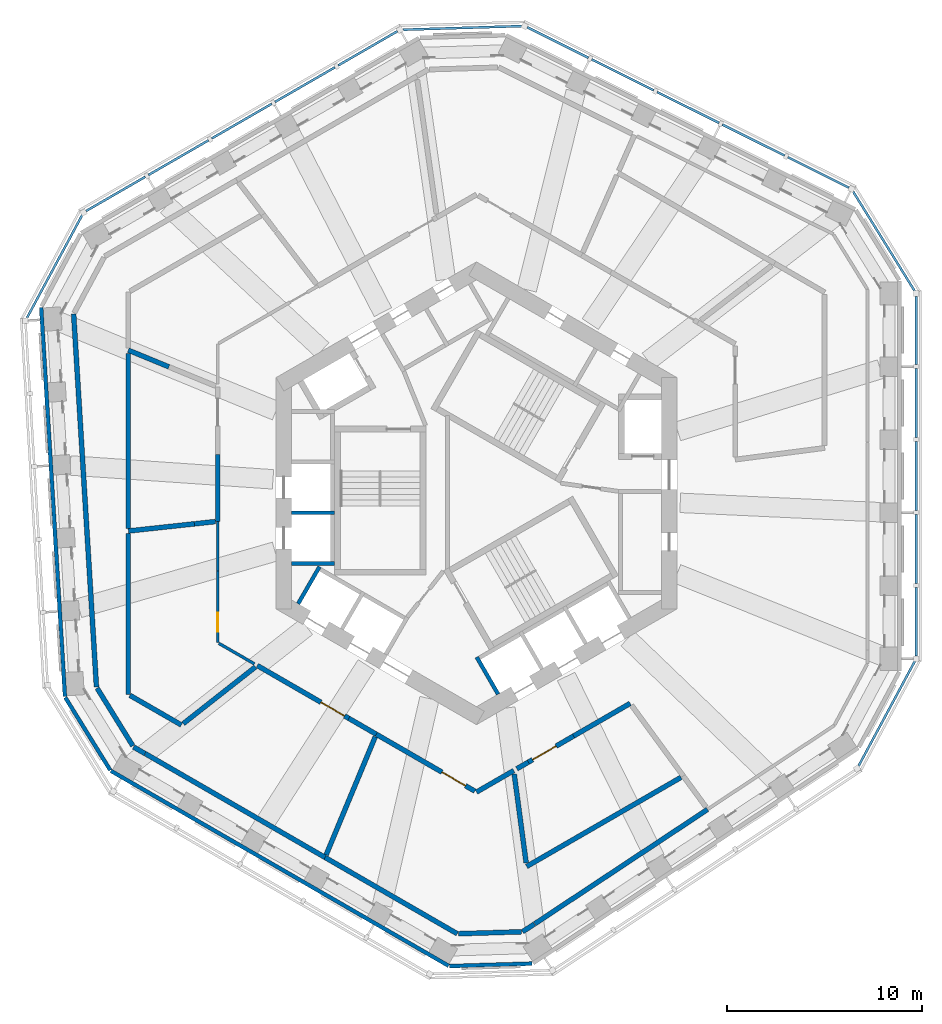
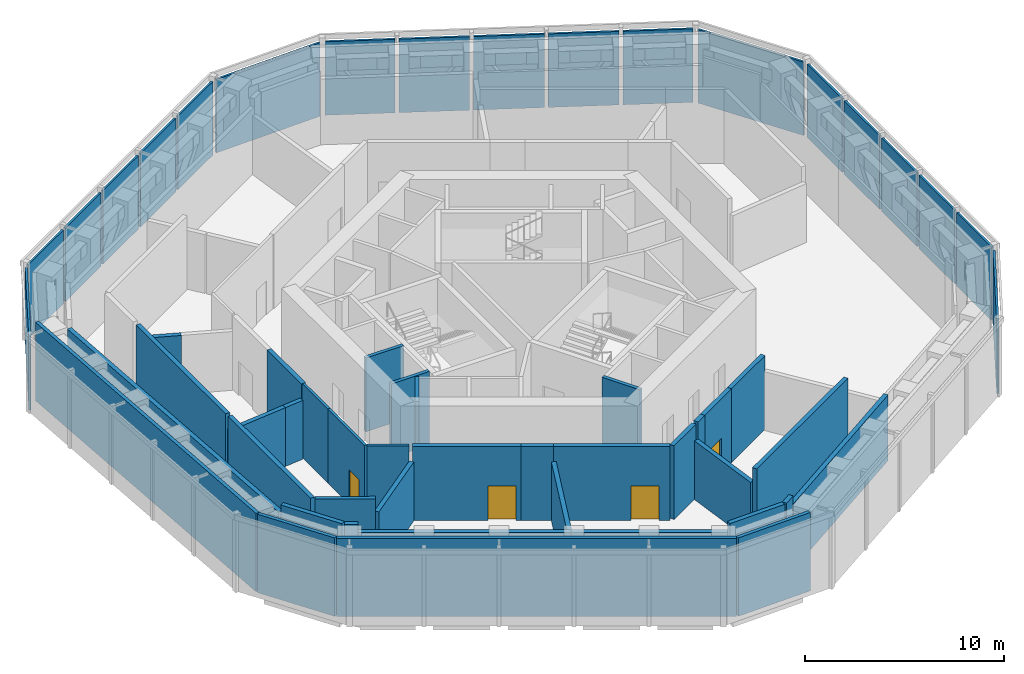
# One storey, part 5 of 15: 37 walls, 19 plates, 4 doors, 4 openings, 7 elements without a shape of their own.
"""IFC4 building model written with IfcOpenShell, lengths in metres."""

import ifcopenshell
import ifcopenshell.guid

model = None  # the IFC model being written
_history = None  # IfcOwnerHistory: only IFC2X3 demands one
_inside = {}  # id of a spatial element -> (the spatial element, [elements in it])
_under = {}  # id of a project, library or spatial element -> (it, [spatial elements below it])
_declared = {}  # id of a project -> (the project, [libraries it declares])
_typed = {}  # id of a type object -> (the type object, [elements of that type])
_made_of = {}  # id of a material, layer set ... -> (it, [elements and type objects made of it])


def new_model(schema):
    """Start an empty IFC model of exactly this schema.

    Asked for "IFC4X3", IfcOpenShell would pick the latest addendum, in which some entities
    have other attributes; the version numbers below select the first issue.
    IFC2X3 requires an IfcOwnerHistory on every rooted entity: one is made here for all.
    """
    global model, _history
    if schema == "IFC4X3":
        model = ifcopenshell.file(schema_version=(4, 3, 0, 0))
    else:
        model = ifcopenshell.file(schema=schema)
    _inside.clear()
    _under.clear()
    _declared.clear()
    _typed.clear()
    _made_of.clear()
    _history = None
    if model.schema == "IFC2X3":
        org = make("IfcOrganization", Name="unknown")
        user = make(
            "IfcPersonAndOrganization",
            ThePerson=make("IfcPerson", FamilyName="unknown"),
            TheOrganization=org,
        )
        app = make(
            "IfcApplication",
            ApplicationDeveloper=org,
            Version="unknown",
            ApplicationFullName="unknown",
            ApplicationIdentifier="unknown",
        )
        _history = make(
            "IfcOwnerHistory",
            OwningUser=user,
            OwningApplication=app,
            ChangeAction="ADDED",
            CreationDate=0,
        )
    return model


def make(cls, **values):
    """One entity of the class cls with the attributes given. An attribute that is None is left unset."""
    return model.create_entity(
        cls, **{name: value for name, value in values.items() if value is not None}
    )


def rooted(cls, **values):
    """An entity with a GlobalId (a new one), such as an element, a storey or a relation."""
    return make(cls, GlobalId=ifcopenshell.guid.new(), OwnerHistory=_history, **values)


def si_unit(unit_type, name, prefix=None):
    """IfcSIUnit, for example si_unit("LENGTHUNIT", "METRE", prefix="MILLI")."""
    return make("IfcSIUnit", UnitType=unit_type, Prefix=prefix, Name=name)


def assignment(units):
    """IfcUnitAssignment: the units of a project."""
    return None if units is None else make("IfcUnitAssignment", Units=units)


def point(xyz):
    """IfcCartesianPoint."""
    return None if xyz is None else make("IfcCartesianPoint", Coordinates=xyz)


def direction(xyz):
    """IfcDirection."""
    return None if xyz is None else make("IfcDirection", DirectionRatios=xyz)


def frame(location, z_axis=None, x_axis=None):
    """IfcAxis2Placement3D, a coordinate frame: its origin and axes. An axis left out is left unset."""
    return make(
        "IfcAxis2Placement3D",
        Location=point(location),
        Axis=direction(z_axis),
        RefDirection=direction(x_axis),
    )


def frame_2d(location, x_axis=None):
    """IfcAxis2Placement2D, a coordinate frame in the plane: its origin and x axis."""
    return make(
        "IfcAxis2Placement2D", Location=point(location), RefDirection=direction(x_axis)
    )


def origin():
    """The frame at (0, 0, 0) with its axes left unset."""
    return frame((0.0, 0.0, 0.0))


def origin_2d():
    """The frame at (0, 0) in the plane with its x axis left unset."""
    return frame_2d((0.0, 0.0))


def place(relative_to, where):
    """IfcLocalPlacement: puts the frame where relative to a parent placement (None: the world)."""
    return make(
        "IfcLocalPlacement", PlacementRelTo=relative_to, RelativePlacement=where
    )


def context(
    kind, dimensions, precision=None, world=None, true_north=None, identifier=None
):
    """IfcGeometricRepresentationContext, for example the 3D "Model" context."""
    return make(
        "IfcGeometricRepresentationContext",
        ContextIdentifier=identifier,
        ContextType=kind,
        CoordinateSpaceDimension=dimensions,
        Precision=precision,
        WorldCoordinateSystem=world,
        TrueNorth=true_north,
    )


def subcontext(parent, identifier, kind, view, scale=None):
    """IfcGeometricRepresentationSubContext, for example "Body" below "Model"."""
    return make(
        "IfcGeometricRepresentationSubContext",
        ContextIdentifier=identifier,
        ContextType=kind,
        ParentContext=parent,
        TargetScale=scale,
        TargetView=view,
    )


def project(units=None, contexts=None):
    """IfcProject with its units and contexts."""
    return rooted(
        "IfcProject",
        Name="project",
        RepresentationContexts=contexts,
        UnitsInContext=assignment(units),
    )


def spatial(cls, under=None, at=None, **own):
    """A site, building, storey or space (cls), placed at a placement, below another one or the project."""
    s = rooted(cls, ObjectPlacement=at, **own)
    if under is not None:
        _under.setdefault(under.id(), (under, []))[1].append(s)
    return s


def profile(cls, at=None, kind="AREA", **sizes):
    """A parametric profile (cls). Its sizes go by their IFC names, for example OverallWidth=200.0."""
    return make(cls, ProfileType=kind, Position=at, **sizes)


def rectangle(**sizes):
    """IfcRectangleProfileDef."""
    return profile("IfcRectangleProfileDef", **sizes)


def extrude(swept, where, along, depth):
    """IfcExtrudedAreaSolid: the profile swept, set in the frame where, extruded along a direction by depth."""
    return make(
        "IfcExtrudedAreaSolid",
        SweptArea=swept,
        Position=where,
        ExtrudedDirection=direction(along),
        Depth=depth,
    )


def shape(context_of_items, identifier, shape_type, items):
    """IfcShapeRepresentation: the items that make up one representation, for example the "Body"."""
    return make(
        "IfcShapeRepresentation",
        ContextOfItems=context_of_items,
        RepresentationIdentifier=identifier,
        RepresentationType=shape_type,
        Items=items,
    )


def material(Name=None, Category=None):
    """IfcMaterial."""
    return make("IfcMaterial", Name=Name, Category=Category)


def layer(
    of_material, thickness, ventilated=None, Name=None, Category=None, Priority=None
):
    """IfcMaterialLayer: one layer of a wall or slab, of a material (None: an air gap)."""
    return make(
        "IfcMaterialLayer",
        Material=of_material,
        LayerThickness=thickness,
        IsVentilated=ventilated,
        Name=Name,
        Category=Category,
        Priority=Priority,
    )


def layer_set(layers, Name=None):
    """IfcMaterialLayerSet."""
    return make("IfcMaterialLayerSet", MaterialLayers=layers, LayerSetName=Name)


def made_of(thing, what):
    """Note that an element or type object is made of a material, layer set ...; save() writes the relation."""
    if what is not None:
        _made_of.setdefault(what.id(), (what, []))[1].append(thing)
    return thing


def type_object(cls, material=None, **own):
    """A type object (cls), such as IfcWallType, which elements share."""
    return made_of(rooted(cls, **own), material)


def element(
    cls,
    number,
    at=None,
    inside=None,
    cuts=None,
    type_object=None,
    material=None,
    context=None,
    identifier="Body",
    shape_type=None,
    held_by="IfcProductDefinitionShape",
    body=None,
    shapes=None,
    **own,
):
    """One element of the class cls, such as IfcWall. Its Tag is "e" and its number.

    at: its placement. inside: the storey or other place that contains it. cuts: it is an
    opening in that element (IfcRelVoidsElement). A single representation is given by context,
    identifier, shape_type and body (its items); several are given by shapes. held_by: the class
    of the entity that holds the representations. save() writes the other relations.
    """
    e = rooted(cls, Tag="e%d" % number, ObjectPlacement=at, **own)
    if body is not None:
        shapes = [shape(context, identifier, shape_type, body)]
    if shapes is not None:
        e.Representation = make(held_by, Representations=shapes)
    if inside is not None:
        _inside.setdefault(inside.id(), (inside, []))[1].append(e)
    if cuts is not None:
        rooted(
            "IfcRelVoidsElement", RelatingBuildingElement=cuts, RelatedOpeningElement=e
        )
    if type_object is not None:
        _typed.setdefault(type_object.id(), (type_object, []))[1].append(e)
    return made_of(e, material)


def fill(opening, filler):
    """IfcRelFillsElement: the door or window that sits in an opening."""
    return rooted(
        "IfcRelFillsElement",
        RelatingOpeningElement=opening,
        RelatedBuildingElement=filler,
    )


def aggregate(whole, parts):
    """IfcRelAggregates: a whole, such as a stair, and the parts it consists of."""
    return rooted("IfcRelAggregates", RelatingObject=whole, RelatedObjects=parts)


def save(model, path):
    """Write the relations noted so far, then the file.

    IfcRelAggregates (storeys below a building ...), IfcRelContainedInSpatialStructure (elements
    in a storey), IfcRelDefinesByType, IfcRelAssociatesMaterial and IfcRelDeclares: one each for
    every whole, place, type object, material and project.
    """
    for whole, parts in _under.values():
        aggregate(whole, parts)
    for where, things in _inside.values():
        rooted(
            "IfcRelContainedInSpatialStructure",
            RelatedElements=things,
            RelatingStructure=where,
        )
    for kind, things in _typed.values():
        rooted("IfcRelDefinesByType", RelatedObjects=things, RelatingType=kind)
    for what, things in _made_of.values():
        rooted("IfcRelAssociatesMaterial", RelatedObjects=things, RelatingMaterial=what)
    for by, libraries in _declared.values():
        rooted("IfcRelDeclares", RelatingContext=by, RelatedDefinitions=libraries)
    model.write(path)


model = new_model("IFC4")

# Units and contexts
model_context = context("Model", 3, precision=1e-05, world=origin(), true_north=direction((0.0, 1.0)))
body_context = subcontext(model_context, "Body", "Model", "MODEL_VIEW")
ifc_project = project(units=[si_unit("LENGTHUNIT", "METRE"), si_unit("AREAUNIT", "SQUARE_METRE"), si_unit("VOLUMEUNIT", "CUBIC_METRE"), si_unit("PLANEANGLEUNIT", "RADIAN"), si_unit("MASSUNIT", "GRAM", prefix="KILO")], contexts=[model_context])

# Site, building, storey
site_placement = place(None, origin())
site = spatial("IfcSite", under=ifc_project, at=site_placement, CompositionType="ELEMENT")
building_placement = place(site_placement, origin())
building = spatial("IfcBuilding", under=site, at=building_placement, Name="Vanh Sen Convention Tower", CompositionType="ELEMENT")
storey_placement = place(building_placement, frame((0.0, 0.0, 205.800048828125)))
storey = spatial("IfcBuildingStorey", under=building, at=storey_placement, Name="L51", CompositionType="ELEMENT", Elevation=205.800048828125)

# Curtain wall, plates
ifc_material_1 = material(Name="Concrete C50/60", Category="concrete")
curtain_wall_type = type_object("IfcCurtainWallType", Name="Outer skin office zone", PredefinedType="NOTDEFINED", material=ifc_material_1)
curtain_wall_1_placement = place(storey_placement, origin())
curtain_wall_1 = element("IfcCurtainWall", 1, at=curtain_wall_1_placement, inside=storey, type_object=curtain_wall_type, Name="OUTER SKIN E L51", PredefinedType="NOTDEFINED")
ifc_layer_1 = layer(ifc_material_1, 0.1201171875)
ifc_layer_set_1 = layer_set([ifc_layer_1], Name="Concrete C50/60")
plate_type = type_object("IfcPlateType", Name="Outer skin precast screen panel 120", PredefinedType="CURTAIN_PANEL", material=ifc_layer_set_1)
plate_1_placement = place(storey_placement, frame((22.60009765625, -6.59912109375, 0.0), z_axis=(0.0, 0.0, 1.0), x_axis=(0.0, 1.0, 0.0)))
plate_1 = element("IfcPlate", 2, at=plate_1_placement, type_object=plate_type, Name="OUTER SKIN screen panel E-1", PredefinedType="CURTAIN_PANEL", context=body_context, shape_type="SweptSolid", body=[
    extrude(rectangle(XDim=3.504150390625, YDim=0.1201171875, at=origin_2d()), origin(), (0.0, 0.0, 1.0), 4.5),
])
plate_2_placement = place(storey_placement, frame((22.60009765625, -2.869873046875, 0.0), z_axis=(0.0, 0.0, 1.0), x_axis=(0.0, 1.0, 0.0)))
plate_2 = element("IfcPlate", 3, at=plate_2_placement, type_object=plate_type, Name="OUTER SKIN screen panel E-2", PredefinedType="CURTAIN_PANEL", context=body_context, shape_type="SweptSolid", body=[
    extrude(rectangle(XDim=3.55419921875, YDim=0.1201171875, at=origin_2d()), origin(), (0.0, 0.0, 1.0), 4.5),
])
plate_3_placement = place(storey_placement, frame((22.60009765625, 0.88427734375, 0.0), z_axis=(0.0, 0.0, 1.0), x_axis=(0.0, 1.0, 0.0)))
plate_3 = element("IfcPlate", 4, at=plate_3_placement, type_object=plate_type, Name="OUTER SKIN screen panel E-3", PredefinedType="CURTAIN_PANEL", context=body_context, shape_type="SweptSolid", body=[
    extrude(rectangle(XDim=3.55419921875, YDim=0.1201171875, at=origin_2d()), origin(), (0.0, 0.0, 1.0), 4.5),
])
plate_4_placement = place(storey_placement, frame((22.60009765625, 4.63818359375, 0.0), z_axis=(0.0, 0.0, 1.0), x_axis=(0.0, 1.0, 0.0)))
plate_4 = element("IfcPlate", 5, at=plate_4_placement, type_object=plate_type, Name="OUTER SKIN screen panel E-4", PredefinedType="CURTAIN_PANEL", context=body_context, shape_type="SweptSolid", body=[
    extrude(rectangle(XDim=3.55419921875, YDim=0.1201171875, at=origin_2d()), origin(), (0.0, 0.0, 1.0), 4.5),
])
plate_5_placement = place(storey_placement, frame((22.60009765625, 8.367431640625, 0.0), z_axis=(0.0, 0.0, 1.0), x_axis=(0.0, 1.0, 0.0)))
plate_5 = element("IfcPlate", 6, at=plate_5_placement, type_object=plate_type, Name="OUTER SKIN screen panel E-5", PredefinedType="CURTAIN_PANEL", context=body_context, shape_type="SweptSolid", body=[
    extrude(rectangle(XDim=3.504150390625, YDim=0.1201171875, at=origin_2d()), origin(), (0.0, 0.0, 1.0), 4.5),
])
aggregate(curtain_wall_1, [plate_1, plate_2, plate_3, plate_4, plate_5])

# Curtain wall, plate
curtain_wall_2_placement = place(storey_placement, origin())
curtain_wall_2 = element("IfcCurtainWall", 7, at=curtain_wall_2_placement, inside=storey, type_object=curtain_wall_type, Name="OUTER SKIN CH1 L51", PredefinedType="NOTDEFINED")
plate_6_placement = place(storey_placement, frame((20.937255859375, 12.956298828125, 0.0), z_axis=(0.0, 0.0, 1.0), x_axis=(-0.5262035346, 0.850358653848, 0.0)))
plate_6 = element("IfcPlate", 8, at=plate_6_placement, type_object=plate_type, Name="OUTER SKIN screen panel CH1-1", PredefinedType="CURTAIN_PANEL", context=body_context, shape_type="SweptSolid", body=[
    extrude(rectangle(XDim=6.01953125, YDim=0.1201171875, at=origin_2d()), origin(), (0.0, 0.0, 1.0), 4.5),
])
aggregate(curtain_wall_2, [plate_6])

# Curtain wall, plates
curtain_wall_3_placement = place(storey_placement, origin())
curtain_wall_3 = element("IfcCurtainWall", 9, at=curtain_wall_3_placement, inside=storey, type_object=curtain_wall_type, Name="OUTER SKIN NE L51", PredefinedType="NOTDEFINED")
plate_7_placement = place(storey_placement, frame((17.572509765625, 16.491943359375, 0.0), z_axis=(0.0, 0.0, 1.0), x_axis=(-0.894943706551, 0.446179069551, 0.0)))
plate_7 = element("IfcPlate", 10, at=plate_7_placement, type_object=plate_type, Name="OUTER SKIN screen panel NE-1", PredefinedType="CURTAIN_PANEL", context=body_context, shape_type="SweptSolid", body=[
    extrude(rectangle(XDim=3.504150390625, YDim=0.1201171875, at=origin_2d()), origin(), (0.0, 0.0, 1.0), 4.5),
])
plate_8_placement = place(storey_placement, frame((14.235107421875, 18.156005859375, 0.0), z_axis=(0.0, 0.0, 1.0), x_axis=(-0.894932804072, 0.446200937017, 0.0)))
plate_8 = element("IfcPlate", 11, at=plate_8_placement, type_object=plate_type, Name="OUTER SKIN screen panel NE-2", PredefinedType="CURTAIN_PANEL", context=body_context, shape_type="SweptSolid", body=[
    extrude(rectangle(XDim=3.55419921875, YDim=0.1201171875, at=origin_2d()), origin(), (0.0, 0.0, 1.0), 4.5),
])
plate_9_placement = place(storey_placement, frame((10.87548828125, 19.8310546875, 0.0), z_axis=(0.0, 0.0, 1.0), x_axis=(-0.894932804072, 0.446200937017, 0.0)))
plate_9 = element("IfcPlate", 12, at=plate_9_placement, type_object=plate_type, Name="OUTER SKIN screen panel NE-3", PredefinedType="CURTAIN_PANEL", context=body_context, shape_type="SweptSolid", body=[
    extrude(rectangle(XDim=3.55419921875, YDim=0.1201171875, at=origin_2d()), origin(), (0.0, 0.0, 1.0), 4.5),
])
plate_10_placement = place(storey_placement, frame((7.515625, 21.506103515625, 0.0), z_axis=(0.0, 0.0, 1.0), x_axis=(-0.894932804072, 0.446200937017, 0.0)))
plate_10 = element("IfcPlate", 13, at=plate_10_placement, type_object=plate_type, Name="OUTER SKIN screen panel NE-4", PredefinedType="CURTAIN_PANEL", context=body_context, shape_type="SweptSolid", body=[
    extrude(rectangle(XDim=3.55419921875, YDim=0.1201171875, at=origin_2d()), origin(), (0.0, 0.0, 1.0), 4.5),
])
plate_11_placement = place(storey_placement, frame((4.178466796875, 23.169921875, 0.0), z_axis=(0.0, 0.0, 1.0), x_axis=(-0.894943706551, 0.446179069551, 0.0)))
plate_11 = element("IfcPlate", 14, at=plate_11_placement, type_object=plate_type, Name="OUTER SKIN screen panel NE-5", PredefinedType="CURTAIN_PANEL", context=body_context, shape_type="SweptSolid", body=[
    extrude(rectangle(XDim=3.504150390625, YDim=0.1201171875, at=origin_2d()), origin(), (0.0, 0.0, 1.0), 4.5),
])
aggregate(curtain_wall_3, [plate_7, plate_8, plate_9, plate_10, plate_11])

# Curtain wall, plate
curtain_wall_4_placement = place(storey_placement, origin())
curtain_wall_4 = element("IfcCurtainWall", 15, at=curtain_wall_4_placement, inside=storey, type_object=curtain_wall_type, Name="OUTER SKIN CH2 L51", PredefinedType="NOTDEFINED")
plate_12_placement = place(storey_placement, frame((-0.73095703125, 23.920654296875, 0.0), z_axis=(0.0, 0.0, 1.0), x_axis=(-0.999533590837, -0.03053851321, 0.0)))
plate_12 = element("IfcPlate", 16, at=plate_12_placement, type_object=plate_type, Name="OUTER SKIN screen panel CH2-1", PredefinedType="CURTAIN_PANEL", context=body_context, shape_type="SweptSolid", body=[
    extrude(rectangle(XDim=6.1171875, YDim=0.1201171875, at=origin_2d()), origin(), (0.0, 0.0, 1.0), 4.5),
])
aggregate(curtain_wall_4, [plate_12])

# Curtain wall, plates
curtain_wall_5_placement = place(storey_placement, origin())
curtain_wall_5 = element("IfcCurtainWall", 17, at=curtain_wall_5_placement, inside=storey, type_object=curtain_wall_type, Name="OUTER SKIN NW L51", PredefinedType="NOTDEFINED")
plate_13_placement = place(storey_placement, frame((-5.585205078125, 22.87158203125, 0.0), z_axis=(0.0, 0.0, 1.0), x_axis=(-0.866035002936, -0.499983373414, 0.0)))
plate_13 = element("IfcPlate", 18, at=plate_13_placement, type_object=plate_type, Name="OUTER SKIN screen panel NW-1", PredefinedType="CURTAIN_PANEL", context=body_context, shape_type="SweptSolid", body=[
    extrude(rectangle(XDim=3.504150390625, YDim=0.1201171875, at=origin_2d()), origin(), (0.0, 0.0, 1.0), 4.5),
])
plate_14_placement = place(storey_placement, frame((-8.814697265625, 21.007080078125, 0.0), z_axis=(0.0, 0.0, 1.0), x_axis=(-0.866016677006, -0.500015114919, 0.0)))
plate_14 = element("IfcPlate", 19, at=plate_14_placement, type_object=plate_type, Name="OUTER SKIN screen panel NW-2", PredefinedType="CURTAIN_PANEL", context=body_context, shape_type="SweptSolid", body=[
    extrude(rectangle(XDim=3.55419921875, YDim=0.1201171875, at=origin_2d()), origin(), (0.0, 0.0, 1.0), 4.5),
])
plate_15_placement = place(storey_placement, frame((-12.06591796875, 19.1298828125, 0.0), z_axis=(0.0, 0.0, 1.0), x_axis=(-0.866035002936, -0.499983373414, 0.0)))
plate_15 = element("IfcPlate", 20, at=plate_15_placement, type_object=plate_type, Name="OUTER SKIN screen panel NW-3", PredefinedType="CURTAIN_PANEL", context=body_context, shape_type="SweptSolid", body=[
    extrude(rectangle(XDim=3.55419921875, YDim=0.1201171875, at=origin_2d()), origin(), (0.0, 0.0, 1.0), 4.5),
])
plate_16_placement = place(storey_placement, frame((-15.31689453125, 17.2529296875, 0.0), z_axis=(0.0, 0.0, 1.0), x_axis=(-0.866016677006, -0.500015114919, 0.0)))
plate_16 = element("IfcPlate", 21, at=plate_16_placement, type_object=plate_type, Name="OUTER SKIN screen panel NW-4", PredefinedType="CURTAIN_PANEL", context=body_context, shape_type="SweptSolid", body=[
    extrude(rectangle(XDim=3.55419921875, YDim=0.1201171875, at=origin_2d()), origin(), (0.0, 0.0, 1.0), 4.5),
])
plate_17_placement = place(storey_placement, frame((-18.54638671875, 15.388427734375, 0.0), z_axis=(0.0, 0.0, 1.0), x_axis=(-0.866035002936, -0.499983373414, 0.0)))
plate_17 = element("IfcPlate", 22, at=plate_17_placement, type_object=plate_type, Name="OUTER SKIN screen panel NW-5", PredefinedType="CURTAIN_PANEL", context=body_context, shape_type="SweptSolid", body=[
    extrude(rectangle(XDim=3.504150390625, YDim=0.1201171875, at=origin_2d()), origin(), (0.0, 0.0, 1.0), 4.5),
])
aggregate(curtain_wall_5, [plate_13, plate_14, plate_15, plate_16, plate_17])

# Curtain wall, plate
curtain_wall_6_placement = place(storey_placement, origin())
curtain_wall_6 = element("IfcCurtainWall", 23, at=curtain_wall_6_placement, inside=storey, type_object=curtain_wall_type, Name="OUTER SKIN CH3 L51", PredefinedType="NOTDEFINED")
plate_18_placement = place(storey_placement, frame((-21.689208984375, 11.654052734375, 0.0), z_axis=(0.0, 0.0, 1.0), x_axis=(-0.47331812974, -0.880891564303, 0.0)))
plate_18 = element("IfcPlate", 24, at=plate_18_placement, type_object=plate_type, Name="OUTER SKIN screen panel CH3-1", PredefinedType="CURTAIN_PANEL", context=body_context, shape_type="SweptSolid", body=[
    extrude(rectangle(XDim=6.019287109375, YDim=0.1201171875, at=origin_2d()), origin(), (0.0, 0.0, 1.0), 4.5),
])
aggregate(curtain_wall_6, [plate_18])

curtain_wall_7_placement = place(storey_placement, origin())
curtain_wall_7 = element("IfcCurtainWall", 25, at=curtain_wall_7_placement, inside=storey, type_object=curtain_wall_type, Name="OUTER SKIN CH6 L51", PredefinedType="NOTDEFINED")
plate_19_placement = place(storey_placement, frame((21.081298828125, -11.327392578125, 0.0), z_axis=(0.0, 0.0, 1.0), x_axis=(0.473321204628, 0.880889912105, 0.0)))
plate_19 = element("IfcPlate", 26, at=plate_19_placement, type_object=plate_type, Name="OUTER SKIN screen panel CH6-1", PredefinedType="CURTAIN_PANEL", context=body_context, shape_type="SweptSolid", body=[
    extrude(rectangle(XDim=6.1171875, YDim=0.1201171875, at=origin_2d()), origin(), (0.0, 0.0, 1.0), 4.5),
])
aggregate(curtain_wall_7, [plate_19])

# Walls
ifc_material_2 = material(Name="Concrete C40/50", Category="concrete")
ifc_layer_2 = layer(ifc_material_2, 0.25)
ifc_layer_set_2 = layer_set([ifc_layer_2], Name="Concrete C40/50")
wall_type_1 = type_object("IfcWallType", Name="Concrete wall 250 EI 180", PredefinedType="SOLIDWALL", material=ifc_layer_set_2)
wall_1_placement = place(storey_placement, frame((-0.987548828125, -22.639404296875, 0.0), z_axis=(0.0, 0.0, 1.0), x_axis=(-0.866009406207, 0.500027707594, 0.0)))
element("IfcWall", 27, at=wall_1_placement, inside=storey, type_object=wall_type_1, Name="Fire-resisting wall L51-001", PredefinedType="SOLIDWALL", context=body_context, shape_type="SweptSolid", body=[
    extrude(rectangle(XDim=7.84619140625, YDim=0.25, at=frame_2d((3.923095703125, 0.0))), origin(), (0.0, 0.0, 1.0), 4.02001953125),
])
wall_2_placement = place(storey_placement, frame((2.3076171875, -22.538818359375, 0.0), z_axis=(0.0, 0.0, 1.0), x_axis=(-0.999533256151, -0.030549465606, 0.0)))
element("IfcWall", 28, at=wall_2_placement, inside=storey, type_object=wall_type_1, Name="Fire-resisting wall L51-002", PredefinedType="SOLIDWALL", context=body_context, shape_type="SweptSolid", body=[
    extrude(rectangle(XDim=3.236572265625, YDim=0.25, at=frame_2d((1.6181640625, 0.0))), origin(), (0.0, 0.0, 1.0), 4.52001953125),
])
wall_3_placement = place(storey_placement, frame((2.974609375, -22.135009765625, 0.0), z_axis=(0.0, 0.0, 1.0), x_axis=(-0.833748378567, -0.552144583635, 0.0)))
element("IfcWall", 29, at=wall_3_placement, inside=storey, type_object=wall_type_1, Name="Fire-resisting wall L51-003", PredefinedType="SOLIDWALL", context=body_context, shape_type="SweptSolid", body=[
    extrude(rectangle(XDim=0.728271484375, YDim=0.25, at=frame_2d((0.3642578125, 0.0))), origin(), (0.0, 0.0, 1.0), 4.52001953125),
])
wall_4_placement = place(storey_placement, frame((-7.782470703125, -18.716064453125, 0.0), z_axis=(0.0, 0.0, 1.0), x_axis=(-0.86602598362, 0.499998995694, 0.0)))
element("IfcWall", 30, at=wall_4_placement, inside=storey, type_object=wall_type_1, Name="Fire-resisting wall L51-004", PredefinedType="SOLIDWALL", context=body_context, shape_type="SweptSolid", body=[
    extrude(rectangle(XDim=10.67333984375, YDim=0.25, at=frame_2d((5.336669921875, 0.0))), origin(), (0.0, 0.0, 1.0), 4.02001953125),
])
wall_5_placement = place(storey_placement, frame((11.87255859375, -16.25146484375, 0.0), z_axis=(0.0, 0.0, 1.0), x_axis=(-0.833861924464, -0.551973088953, 0.0)))
element("IfcWall", 31, at=wall_5_placement, inside=storey, type_object=wall_type_1, Name="Fire-resisting wall L51-005", PredefinedType="SOLIDWALL", context=body_context, shape_type="SweptSolid", body=[
    extrude(rectangle(XDim=10.651123046875, YDim=0.25, at=frame_2d((5.32568359375, 0.0))), origin(), (0.0, 0.0, 1.0), 4.02001953125),
])
wall_6_placement = place(storey_placement, frame((0.0, -15.357421875, 0.0), z_axis=(0.0, 0.0, 1.0), x_axis=(0.866060565847, 0.499939092575, 0.0)))
element("IfcWall", 32, at=wall_6_placement, inside=storey, type_object=wall_type_1, Name="Fire-resisting wall L51-007", PredefinedType="SOLIDWALL", context=body_context, shape_type="SweptSolid", body=[
    extrude(rectangle(XDim=2.211181640625, YDim=0.25, at=frame_2d((1.10546875, 0.0))), origin(), (0.0, 0.0, 1.0), 4.52001953125),
])

# Wall, opening, door
wall_7_placement = place(storey_placement, frame((-0.086669921875, -15.3076171875, 0.0), z_axis=(0.0, 0.0, 1.0), x_axis=(-0.866016588558, 0.50001526811, 0.0)))
wall_7 = element("IfcWall", 33, at=wall_7_placement, inside=storey, type_object=wall_type_1, Name="Fire-resisting wall L51-008", PredefinedType="SOLIDWALL", context=body_context, shape_type="SweptSolid", body=[
    extrude(rectangle(XDim=5.845947265625, YDim=0.25, at=frame_2d((2.9228515625, 0.0))), origin(), (0.0, 0.0, 1.0), 4.52001953125),
])
opening_1_placement = place(wall_7_placement, frame((0.550048828125, 0.0, 0.0)))
opening_1 = element("IfcOpeningElement", 34, at=opening_1_placement, cuts=wall_7, Name="Opening D51101", PredefinedType="OPENING", context=body_context, shape_type="SweptSolid", body=[
    extrude(rectangle(XDim=1.39990234375, YDim=2.10009765625, at=frame_2d((0.699951171875, 1.050048828125))), frame((0.0, 0.135009765625, 0.0), z_axis=(0.0, -1.0, 0.0), x_axis=(1.0, 0.0, 0.0)), (0.0, 0.0, 1.0), 0.27001953125),
])
ifc_material_3 = material(Name="Steel S355", Category="steel")
door_type_1 = type_object("IfcDoorType", Name="Service door 1400 EI 60", OperationType="SINGLE_SWING_LEFT", PredefinedType="DOOR", material=ifc_material_3)
door_1_placement = place(opening_1_placement, origin())
door_1 = element("IfcDoor", 35, at=door_1_placement, inside=storey, type_object=door_type_1, Name="Service door D51101", OperationType="SINGLE_SWING_LEFT", OverallHeight=2.10009765625, OverallWidth=1.39990234375, PredefinedType="DOOR", context=body_context, shape_type="SweptSolid", body=[
    extrude(rectangle(XDim=1.39990234375, YDim=2.10009765625, at=frame_2d((0.699951171875, 1.050048828125))), frame((0.0, 0.02490234375, 0.0), z_axis=(0.0, -1.0, 0.0), x_axis=(1.0, 0.0, 0.0)), (0.0, 0.0, 1.0), 0.050048828125),
])
fill(opening_1, door_1)

# Walls
wall_8_placement = place(storey_placement, frame((10.5078125, -14.6025390625, 0.0), z_axis=(0.0, 0.0, 1.0), x_axis=(-0.86603774239, -0.499978628299, 0.0)))
element("IfcWall", 36, at=wall_8_placement, inside=storey, type_object=wall_type_1, Name="Fire-resisting wall L51-009", PredefinedType="SOLIDWALL", context=body_context, shape_type="SweptSolid", body=[
    extrude(rectangle(XDim=9.1572265625, YDim=0.25, at=frame_2d((4.57861328125, 0.0))), origin(), (0.0, 0.0, 1.0), 4.52001953125),
])
wall_9_placement = place(storey_placement, frame((1.93896484375, -14.430419921875, 0.0), z_axis=(0.0, 0.0, 1.0), x_axis=(0.133228901291, -0.991085293938, 0.0)))
element("IfcWall", 37, at=wall_9_placement, inside=storey, type_object=wall_type_1, Name="Fire-resisting wall L51-010", PredefinedType="SOLIDWALL", context=body_context, shape_type="SweptSolid", body=[
    extrude(rectangle(XDim=4.608642578125, YDim=0.25, at=frame_2d((2.30419921875, 0.0))), origin(), (0.0, 0.0, 1.0), 3.599853515625),
])
wall_10_placement = place(storey_placement, frame((2.66650390625, -13.818115234375, 0.0), z_axis=(0.0, 0.0, 1.0), x_axis=(-0.86630994195, -0.499506841272, 0.0)))
element("IfcWall", 38, at=wall_10_placement, inside=storey, type_object=wall_type_1, Name="Fire-resisting wall L51-011", PredefinedType="SOLIDWALL", context=body_context, shape_type="SweptSolid", body=[
    extrude(rectangle(XDim=0.686279296875, YDim=0.25, at=frame_2d((0.34326171875, 0.0))), origin(), (0.0, 0.0, 1.0), 4.52001953125),
])

# Wall, opening, door
wall_11_placement = place(storey_placement, frame((2.66650390625, -13.81787109375, 0.0), z_axis=(0.0, 0.0, 1.0), x_axis=(0.866017414952, 0.500013836808, 0.0)))
wall_11 = element("IfcWall", 39, at=wall_11_placement, inside=storey, type_object=wall_type_1, Name="Fire-resisting wall L51-012", PredefinedType="SOLIDWALL", context=body_context, shape_type="SweptSolid", body=[
    extrude(rectangle(XDim=2.68359375, YDim=0.25, at=frame_2d((1.341796875, 0.0))), origin(), (0.0, 0.0, 1.0), 4.52001953125),
])
opening_2_placement = place(wall_11_placement, frame((0.25, 0.0, 0.0)))
opening_2 = element("IfcOpeningElement", 40, at=opening_2_placement, cuts=wall_11, Name="Opening D51102", PredefinedType="OPENING", context=body_context, shape_type="SweptSolid", body=[
    extrude(rectangle(XDim=1.39990234375, YDim=2.10009765625, at=frame_2d((0.699951171875, 1.050048828125))), frame((0.0, 0.135009765625, 0.0), z_axis=(0.0, -1.0, 0.0), x_axis=(1.0, 0.0, 0.0)), (0.0, 0.0, 1.0), 0.27001953125),
])
door_2_placement = place(opening_2_placement, origin())
door_2 = element("IfcDoor", 41, at=door_2_placement, inside=storey, type_object=door_type_1, Name="Service door D51102", OperationType="SINGLE_SWING_LEFT", OverallHeight=2.10009765625, OverallWidth=1.39990234375, PredefinedType="DOOR", context=body_context, shape_type="SweptSolid", body=[
    extrude(rectangle(XDim=1.39990234375, YDim=2.10009765625, at=frame_2d((0.699951171875, 1.050048828125))), frame((0.0, 0.02490234375, 0.0), z_axis=(0.0, -1.0, 0.0), x_axis=(1.0, 0.0, 0.0)), (0.0, 0.0, 1.0), 0.050048828125),
])
fill(opening_2, door_2)

# Walls
wall_12_placement = place(storey_placement, frame((-17.03857421875, -13.3779296875, 0.0), z_axis=(0.0, 0.0, 1.0), x_axis=(-0.866065806944, 0.499930013145, 0.0)))
element("IfcWall", 42, at=wall_12_placement, inside=storey, type_object=wall_type_1, Name="Fire-resisting wall L51-013", PredefinedType="SOLIDWALL", context=body_context, shape_type="SweptSolid", body=[
    extrude(rectangle(XDim=0.6787109375, YDim=0.25, at=frame_2d((0.33935546875, 0.0))), origin(), (0.0, 0.0, 1.0), 4.52001953125),
])
wall_13_placement = place(storey_placement, frame((-17.66357421875, -12.982421875, 0.0), z_axis=(0.0, 0.0, 1.0), x_axis=(-0.526157085046, 0.850387395165, 0.0)))
element("IfcWall", 43, at=wall_13_placement, inside=storey, type_object=wall_type_1, Name="Fire-resisting wall L51-014", PredefinedType="SOLIDWALL", context=body_context, shape_type="SweptSolid", body=[
    extrude(rectangle(XDim=3.4892578125, YDim=0.25, at=frame_2d((1.74462890625, 0.0))), origin(), (0.0, 0.0, 1.0), 4.52001953125),
])
wall_14_placement = place(storey_placement, frame((-5.203369140625, -12.513671875, 0.0), z_axis=(0.0, 0.0, 1.0), x_axis=(-0.383964269763, -0.923347951503, 0.0)))
element("IfcWall", 44, at=wall_14_placement, inside=storey, type_object=wall_type_1, Name="Fire-resisting wall L51-015", PredefinedType="SOLIDWALL", context=body_context, shape_type="SweptSolid", body=[
    extrude(rectangle(XDim=6.5771484375, YDim=0.25, at=frame_2d((3.28857421875, 0.0))), origin(), (0.0, 0.0, 1.0), 3.599853515625),
])
wall_15_placement = place(storey_placement, frame((4.990478515625, -12.47607421875, 0.0), z_axis=(0.0, 0.0, 1.0), x_axis=(0.86607294768, 0.499917642513, 0.0)))
element("IfcWall", 45, at=wall_15_placement, inside=storey, type_object=wall_type_1, Name="Fire-resisting wall L51-016", PredefinedType="SOLIDWALL", context=body_context, shape_type="SweptSolid", body=[
    extrude(rectangle(XDim=3.3564453125, YDim=0.25, at=frame_2d((1.67822265625, 0.0))), origin(), (0.0, 0.0, 1.0), 4.52001953125),
])
wall_16_placement = place(storey_placement, frame((-15.169921875, -11.908447265625, 0.0), z_axis=(0.0, 0.0, 1.0), x_axis=(-0.866356035716, 0.499426890925, 0.0)))
element("IfcWall", 46, at=wall_16_placement, inside=storey, type_object=wall_type_1, Name="Fire-resisting wall L51-018", PredefinedType="SOLIDWALL", context=body_context, shape_type="SweptSolid", body=[
    extrude(rectangle(XDim=3.05126953125, YDim=0.25, at=frame_2d((1.525634765625, 0.0))), origin(), (0.0, 0.0, 1.0), 4.52001953125),
])
wall_17_placement = place(storey_placement, frame((-6.5634765625, -11.568115234375, 0.0), z_axis=(0.0, 0.0, 1.0), x_axis=(0.866026229868, -0.499998569178, 0.0)))
element("IfcWall", 47, at=wall_17_placement, inside=storey, type_object=wall_type_1, Name="Fire-resisting wall L51-019", PredefinedType="SOLIDWALL", context=body_context, shape_type="SweptSolid", body=[
    extrude(rectangle(XDim=1.6328125, YDim=0.25, at=frame_2d((0.81640625, 0.0))), origin(), (0.0, 0.0, 1.0), 4.52001953125),
])
wall_18_placement = place(storey_placement, frame((-17.89990234375, -10.33447265625, 0.0), z_axis=(0.0, 0.0, 1.0), x_axis=(0.0, 1.0, 0.0)))
element("IfcWall", 48, at=wall_18_placement, inside=storey, type_object=wall_type_1, Name="Fire-resisting wall L51-021", PredefinedType="SOLIDWALL", context=body_context, shape_type="SweptSolid", body=[
    extrude(rectangle(XDim=8.2763671875, YDim=0.25, at=frame_2d((4.13818359375, 0.0))), origin(), (0.0, 0.0, 1.0), 4.52001953125),
])
wall_19_placement = place(storey_placement, frame((-19.533447265625, -9.95654296875, 0.0), z_axis=(0.0, 0.0, 1.0), x_axis=(-0.061051138787, 0.998134639441, 0.0)))
element("IfcWall", 49, at=wall_19_placement, inside=storey, type_object=wall_type_1, Name="Fire-resisting wall L51-022", PredefinedType="SOLIDWALL", context=body_context, shape_type="SweptSolid", body=[
    extrude(rectangle(XDim=19.20703125, YDim=0.25, at=frame_2d((9.603515625, 0.0))), origin(), (0.0, 0.0, 1.0), 4.02001953125),
])
wall_20_placement = place(storey_placement, frame((-11.36279296875, -8.925537109375, 0.0), z_axis=(0.0, 0.0, 1.0), x_axis=(-0.786388390319, -0.617732385075, 0.0)))
element("IfcWall", 50, at=wall_20_placement, inside=storey, type_object=wall_type_1, Name="Fire-resisting wall L51-023", PredefinedType="SOLIDWALL", context=body_context, shape_type="SweptSolid", body=[
    extrude(rectangle(XDim=4.716064453125, YDim=0.25, at=frame_2d((2.35791015625, 0.0))), origin(), (0.0, 0.0, 1.0), 3.599853515625),
])

# Wall, opening, door
wall_21_placement = place(storey_placement, frame((-11.2685546875, -8.8515625, 0.0), z_axis=(0.0, 0.0, 1.0), x_axis=(0.866019457076, -0.500010299859, 0.0)))
wall_21 = element("IfcWall", 51, at=wall_21_placement, inside=storey, type_object=wall_type_1, Name="Fire-resisting wall L51-024", PredefinedType="SOLIDWALL", context=body_context, shape_type="SweptSolid", body=[
    extrude(rectangle(XDim=5.43310546875, YDim=0.25, at=frame_2d((2.716552734375, 0.0))), origin(), (0.0, 0.0, 1.0), 4.52001953125),
])
opening_3_placement = place(wall_21_placement, frame((3.782958984375, 0.0, 0.0)))
opening_3 = element("IfcOpeningElement", 52, at=opening_3_placement, cuts=wall_21, Name="Opening D51103", PredefinedType="OPENING", context=body_context, shape_type="SweptSolid", body=[
    extrude(rectangle(XDim=1.39990234375, YDim=2.10009765625, at=frame_2d((0.699951171875, 1.050048828125))), frame((0.0, 0.135009765625, 0.0), z_axis=(0.0, -1.0, 0.0), x_axis=(1.0, 0.0, 0.0)), (0.0, 0.0, 1.0), 0.27001953125),
])
door_3_placement = place(opening_3_placement, origin())
door_3 = element("IfcDoor", 53, at=door_3_placement, inside=storey, type_object=door_type_1, Name="Service door D51103", OperationType="SINGLE_SWING_LEFT", OverallHeight=2.10009765625, OverallWidth=1.39990234375, PredefinedType="DOOR", context=body_context, shape_type="SweptSolid", body=[
    extrude(rectangle(XDim=1.39990234375, YDim=2.10009765625, at=frame_2d((0.699951171875, 1.050048828125))), frame((0.0, 0.02490234375, 0.0), z_axis=(0.0, -1.0, 0.0), x_axis=(1.0, 0.0, 0.0)), (0.0, 0.0, 1.0), 0.050048828125),
])
fill(opening_3, door_3)

# Walls
wall_22_placement = place(storey_placement, frame((-17.89990234375, -1.798583984375, 0.0), z_axis=(0.0, 0.0, 1.0), x_axis=(0.0, 1.0, 0.0)))
element("IfcWall", 54, at=wall_22_placement, inside=storey, type_object=wall_type_1, Name="Fire-resisting wall L51-030", PredefinedType="SOLIDWALL", context=body_context, shape_type="SweptSolid", body=[
    extrude(rectangle(XDim=8.9765625, YDim=0.25, at=frame_2d((4.48828125, 0.0))), origin(), (0.0, 0.0, 1.0), 4.52001953125),
])
wall_23_placement = place(storey_placement, frame((-14.5009765625, -1.570556640625, 0.0), z_axis=(0.0, 0.0, 1.0), x_axis=(-0.994191133152, -0.10762894946, 0.0)))
element("IfcWall", 55, at=wall_23_placement, inside=storey, type_object=wall_type_1, Name="Fire-resisting wall L51-031", PredefinedType="SOLIDWALL", context=body_context, shape_type="SweptSolid", body=[
    extrude(rectangle(XDim=3.413818359375, YDim=0.25, at=frame_2d((1.70703125, 0.0))), origin(), (0.0, 0.0, 1.0), 3.599853515625),
])
wall_24_placement = place(storey_placement, frame((-14.5009765625, -1.570556640625, 0.0), z_axis=(0.0, 0.0, 1.0), x_axis=(0.994183696144, 0.107697624498, 0.0)))
element("IfcWall", 56, at=wall_24_placement, inside=storey, type_object=wall_type_1, Name="Fire-resisting wall L51-032", PredefinedType="SOLIDWALL", context=body_context, shape_type="SweptSolid", body=[
    extrude(rectangle(XDim=1.088134765625, YDim=0.25, at=frame_2d((0.5439453125, 0.0))), origin(), (0.0, 0.0, 1.0), 3.599853515625),
])
wall_25_placement = place(storey_placement, frame((-13.300048828125, -1.4404296875, 0.0), z_axis=(0.0, 0.0, 1.0), x_axis=(0.0, 1.0, 0.0)))
element("IfcWall", 57, at=wall_25_placement, inside=storey, type_object=wall_type_1, Name="Fire-resisting wall L51-033", PredefinedType="SOLIDWALL", context=body_context, shape_type="SweptSolid", body=[
    extrude(rectangle(XDim=3.4404296875, YDim=0.25, at=frame_2d((1.72021484375, 0.0))), origin(), (0.0, 0.0, 1.0), 4.52001953125),
])
wall_26_placement = place(storey_placement, frame((-17.89501953125, 7.35595703125, 0.0), z_axis=(0.0, 0.0, 1.0), x_axis=(0.924911084765, -0.380183488962, 0.0)))
element("IfcWall", 58, at=wall_26_placement, inside=storey, type_object=wall_type_1, Name="Fire-resisting wall L51-040", PredefinedType="SOLIDWALL", context=body_context, shape_type="SweptSolid", body=[
    extrude(rectangle(XDim=2.25537109375, YDim=0.25, at=frame_2d((1.127685546875, 0.0))), origin(), (0.0, 0.0, 1.0), 3.599853515625),
])
ifc_material_4 = material(Name="Insulated lightweight infill wall")
ifc_layer_3 = layer(ifc_material_4, 0.199951171875)
ifc_layer_set_3 = layer_set([ifc_layer_3], Name="Insulated lightweight infill wall")
wall_type_2 = type_object("IfcWallType", Name="External wall 200", PredefinedType="STANDARD", material=ifc_layer_set_3)
wall_27_placement = place(storey_placement, frame((-22.375, 9.55712890625, 0.0), z_axis=(0.0, 0.0, 1.0), x_axis=(0.061036015339, -0.998135564356, 0.0)))
element("IfcWall", 59, at=wall_27_placement, inside=storey, type_object=wall_type_2, Name="External wall W L51", PredefinedType="STANDARD", context=body_context, shape_type="SweptSolid", body=[
    extrude(rectangle(XDim=20.043701171875, YDim=0.199951171875, at=frame_2d((10.02197265625, 0.0))), origin(), (0.0, 0.0, 1.0), 4.800048828125),
])
wall_28_placement = place(storey_placement, frame((-21.13671875, -10.49560546875, 0.0), z_axis=(0.0, 0.0, 1.0), x_axis=(0.526178661629, -0.850374044786, 0.0)))
element("IfcWall", 60, at=wall_28_placement, inside=storey, type_object=wall_type_2, Name="External wall CH4 L51", PredefinedType="STANDARD", context=body_context, shape_type="SweptSolid", body=[
    extrude(rectangle(XDim=4.394775390625, YDim=0.199951171875, at=frame_2d((2.197265625, 0.0))), origin(), (0.0, 0.0, 1.0), 4.800048828125),
])
wall_29_placement = place(storey_placement, frame((-18.7890625, -14.266845703125, 0.0), z_axis=(0.0, 0.0, 1.0), x_axis=(0.866023315909, -0.500003616288, 0.0)))
element("IfcWall", 61, at=wall_29_placement, inside=storey, type_object=wall_type_2, Name="External wall SW L51", PredefinedType="STANDARD", context=body_context, shape_type="SweptSolid", body=[
    extrude(rectangle(XDim=20.043701171875, YDim=0.199951171875, at=frame_2d((10.02197265625, 0.0))), origin(), (0.0, 0.0, 1.0), 4.800048828125),
])
wall_30_placement = place(storey_placement, frame((-1.377685546875, -24.302001953125, 0.0), z_axis=(0.0, 0.0, 1.0), x_axis=(0.999533857267, 0.030529791629, 0.0)))
element("IfcWall", 62, at=wall_30_placement, inside=storey, type_object=wall_type_2, Name="External wall CH5 L51", PredefinedType="STANDARD", context=body_context, shape_type="SweptSolid", body=[
    extrude(rectangle(XDim=4.23828125, YDim=0.199951171875, at=frame_2d((2.119140625, 0.0))), origin(), (0.0, 0.0, 1.0), 4.800048828125),
])
ifc_layer_4 = layer(ifc_material_2, 0.199951171875)
ifc_layer_set_4 = layer_set([ifc_layer_4], Name="Concrete C40/50")
wall_type_3 = type_object("IfcWallType", Name="Lift shaft wall 200", PredefinedType="PARTITIONING", material=ifc_layer_set_4)
for number, where, z_axis, x_axis, name in (
    (63, (-7.300048828125, -1.0, 0.0), (0.0, 0.0, 1.0), (-1.0, 0.0, 0.0), "Lift shaft wall L51"),
    (64, (-7.300048828125, -3.60009765625, 0.0), (0.0, 0.0, 1.0), (-1.0, 0.0, 0.0), "Lift shaft wall L51"),
    (65, (-8.066650390625, -3.77197265625, 0.0), (0.0, 0.0, 1.0), (-0.50002983664, -0.866008176907, 0.0), "Lift shaft wall L51"),
    (66, (0.0126953125, -8.422119140625, 0.0), (0.0, 0.0, 1.0), (0.500077893725, -0.86598042715, 0.0), "Lift shaft wall L51"),
):
    element("IfcWall", number, at=place(storey_placement, frame(where, z_axis=z_axis, x_axis=x_axis)), inside=storey, type_object=wall_type_3, Name=name, PredefinedType="PARTITIONING", context=body_context, shape_type="SweptSolid", body=[
        extrude(rectangle(XDim=2.199951171875, YDim=0.199951171875, at=frame_2d((1.10009765625, 0.0))), origin(), (0.0, 0.0, 1.0), 4.52001953125),
    ])
ifc_material_5 = material(Name="Gypsum board on steel studs", Category="steel")
ifc_layer_5 = layer(ifc_material_5, 0.14990234375)
ifc_layer_set_5 = layer_set([ifc_layer_5], Name="Gypsum board on steel studs")
wall_type_4 = type_object("IfcWallType", Name="Partition 150 EI 60", PredefinedType="PARTITIONING", material=ifc_layer_set_5)
wall_31_placement = place(storey_placement, frame((-13.248046875, -7.708984375, 0.0), z_axis=(0.0, 0.0, 1.0), x_axis=(0.866093487018, -0.499882057835, 0.0)))
element("IfcWall", 67, at=wall_31_placement, inside=storey, type_object=wall_type_4, Name="Partition L51-027", PredefinedType="PARTITIONING", context=body_context, shape_type="SweptSolid", body=[
    extrude(rectangle(XDim=2.11865234375, YDim=0.14990234375, at=frame_2d((1.059326171875, 0.0))), origin(), (0.0, 0.0, 1.0), 4.52001953125),
])

# Wall, opening, door
wall_32_placement = place(storey_placement, frame((-13.300048828125, -7.678955078125, 0.0), z_axis=(0.0, 0.0, 1.0), x_axis=(0.0, 1.0, 0.0)))
wall_32 = element("IfcWall", 68, at=wall_32_placement, inside=storey, type_object=wall_type_4, Name="Partition L51-028", PredefinedType="PARTITIONING", context=body_context, shape_type="SweptSolid", body=[
    extrude(rectangle(XDim=3.678955078125, YDim=0.14990234375, at=frame_2d((1.83935546875, 0.0))), origin(), (0.0, 0.0, 1.0), 4.52001953125),
])
opening_4_placement = place(wall_32_placement, frame((0.550048828125, 0.0, 0.0)))
opening_4 = element("IfcOpeningElement", 69, at=opening_4_placement, cuts=wall_32, Name="Opening D51104", PredefinedType="OPENING", context=body_context, shape_type="SweptSolid", body=[
    extrude(rectangle(XDim=1.0, YDim=2.10009765625, at=frame_2d((0.5, 1.050048828125))), frame((0.0, 0.0849609375, 0.0), z_axis=(0.0, -1.0, 0.0), x_axis=(1.0, 0.0, 0.0)), (0.0, 0.0, 1.0), 0.169921875),
])
ifc_material_6 = material(Name="Timber door in steel frame", Category="steel")
door_type_2 = type_object("IfcDoorType", Name="Room door 1000 EI 30", OperationType="SINGLE_SWING_LEFT", PredefinedType="DOOR", material=ifc_material_6)
door_4_placement = place(opening_4_placement, origin())
door_4 = element("IfcDoor", 70, at=door_4_placement, inside=storey, type_object=door_type_2, Name="Room door D51104", OperationType="SINGLE_SWING_LEFT", OverallHeight=2.10009765625, OverallWidth=1.0, PredefinedType="DOOR", context=body_context, shape_type="SweptSolid", body=[
    extrude(rectangle(XDim=1.0, YDim=2.10009765625, at=frame_2d((0.5, 1.050048828125))), frame((0.0, 0.02490234375, 0.0), z_axis=(0.0, -1.0, 0.0), x_axis=(1.0, 0.0, 0.0)), (0.0, 0.0, 1.0), 0.050048828125),
])
fill(opening_4, door_4)

# Wall
wall_33_placement = place(storey_placement, frame((-13.300048828125, -4.0, 0.0), z_axis=(0.0, 0.0, 1.0), x_axis=(0.0, 1.0, 0.0)))
element("IfcWall", 71, at=wall_33_placement, inside=storey, type_object=wall_type_4, Name="Partition L51-029", PredefinedType="PARTITIONING", context=body_context, shape_type="SweptSolid", body=[
    extrude(rectangle(XDim=2.5595703125, YDim=0.14990234375, at=frame_2d((1.27978515625, 0.0))), origin(), (0.0, 0.0, 1.0), 4.52001953125),
])

save(model, "model.ifc")
